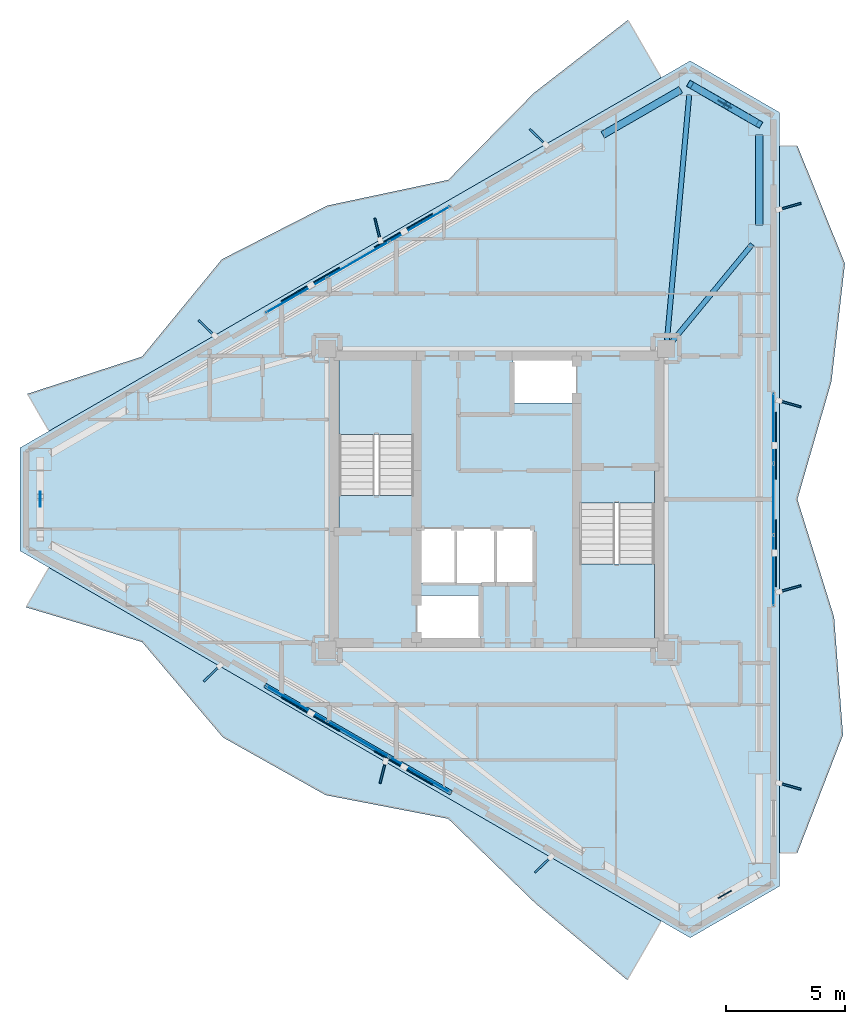
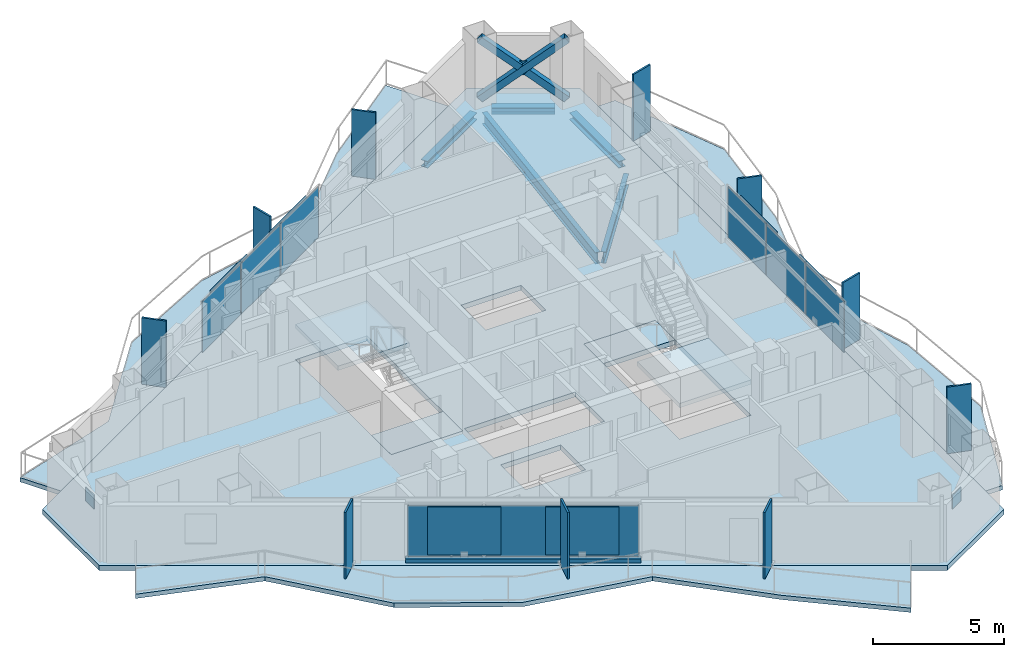
# One storey, part 15 of 22: 28 plates, 8 slabs, 5 beams, 3 members, 1 wall, 5 elements without a shape of their own.
"""IFC4 building model written with IfcOpenShell, lengths in metres."""

from ifc_helpers import new_model, si_unit, direction, frame, frame_2d, origin, origin_2d, place, context, subcontext, project, spatial, polyline, rectangle, hollow_rectangle, i_section, outline, extrude, material, layer, layer_set, material_profile, profile_set, type_object, element, aggregate, save


model = new_model("IFC4")

# Units and contexts
model_context = context("Model", 3, precision=1e-05, world=origin(), true_north=direction((0.0, 1.0)))
body_context = subcontext(model_context, "Body", "Model", "MODEL_VIEW")
ifc_project = project(units=[si_unit("LENGTHUNIT", "METRE"), si_unit("AREAUNIT", "SQUARE_METRE"), si_unit("VOLUMEUNIT", "CUBIC_METRE"), si_unit("PLANEANGLEUNIT", "RADIAN"), si_unit("MASSUNIT", "GRAM", prefix="KILO")], contexts=[model_context])

# Site, building, storey
site_placement = place(None, origin())
site = spatial("IfcSite", under=ifc_project, at=site_placement, CompositionType="ELEMENT")
building_placement = place(site_placement, origin())
building = spatial("IfcBuilding", under=site, at=building_placement, Name="Mersakhor Tower and Convention Hall", CompositionType="ELEMENT")
storey_placement = place(building_placement, frame((0.0, 0.0, 188.699951171875)))
storey = spatial("IfcBuildingStorey", under=building, at=storey_placement, Name="L52", CompositionType="ELEMENT", Elevation=188.699951171875)

# Beams
ifc_material_1 = material(Name="Steel S355", Category="steel")
ifc_material_profile_1 = material_profile(ifc_material_1, i_section(OverallWidth=0.2099609375, OverallDepth=0.53662109375, WebThickness=0.0107421875, FlangeThickness=0.017333984375, at=origin_2d()), Name="UB 533x210x101")
ifc_profile_set_1 = profile_set([ifc_material_profile_1], Name="Steel S355")
beam_type_1 = type_object("IfcBeamType", Name="BM-FB-533", PredefinedType="BEAM", material=ifc_profile_set_1)
beam_1_placement = place(storey_placement, frame((36.132080078125, 33.403564453125, -0.498291015625), z_axis=(0.09035626971, 0.995909506192, 0.0), x_axis=(-0.995909506192, 0.09035626971, 0.0)))
element("IfcBeam", 1, at=beam_1_placement, inside=storey, type_object=beam_type_1, Name="L52 Primary Floor Girder FG-2", PredefinedType="BEAM", context=body_context, shape_type="SweptSolid", body=[
    extrude(i_section(OverallWidth=0.2099609375, OverallDepth=0.53662109375, WebThickness=0.0107421875, FlangeThickness=0.017333984375, at=origin_2d()), origin(), (0.0, 0.0, 1.0), 10.302734375),
])
beam_2_placement = place(storey_placement, frame((36.32568359375, 33.32421875, -0.498291015625), z_axis=(0.635639529599, 0.77198600273, 0.0), x_axis=(-0.77198600273, 0.635639529599, 0.0)))
element("IfcBeam", 2, at=beam_2_placement, inside=storey, type_object=beam_type_1, Name="L52 Primary Floor Girder FG-3", PredefinedType="BEAM", context=body_context, shape_type="SweptSolid", body=[
    extrude(i_section(OverallWidth=0.2099609375, OverallDepth=0.53662109375, WebThickness=0.0107421875, FlangeThickness=0.017333984375, at=origin_2d()), origin(), (0.0, 0.0, 1.0), 5.307373046875),
])
ifc_material_2 = material(Name="Steel S355", Category="steel")
ifc_material_profile_2 = material_profile(ifc_material_2, i_section(OverallWidth=0.30908203125, OverallDepth=0.320556640625, WebThickness=0.013916015625, FlangeThickness=0.021728515625, at=origin_2d()), Name="UC 305x305x137")
ifc_profile_set_2 = profile_set([ifc_material_profile_2], Name="Steel S355")
beam_type_2 = type_object("IfcBeamType", Name="BM-SPD-UC305", PredefinedType="SPANDREL", material=ifc_profile_set_2)
beam_3_placement = place(storey_placement, frame((33.44580078125, 42.005126953125, -0.39013671875), z_axis=(0.866046450459, 0.499963544319, 0.0), x_axis=(-0.499963544319, 0.866046450459, 0.0)))
element("IfcBeam", 3, at=beam_3_placement, inside=storey, type_object=beam_type_2, Name="L52 Perimeter Spandrel Beam SPB-03", PredefinedType="SPANDREL", context=body_context, shape_type="SweptSolid", body=[
    extrude(i_section(OverallWidth=0.30908203125, OverallDepth=0.320556640625, WebThickness=0.013916015625, FlangeThickness=0.021728515625, at=origin_2d()), origin(), (0.0, 0.0, 1.0), 3.769287109375),
])
beam_4_placement = place(storey_placement, frame((37.498046875, 43.8896484375, -0.39013671875), z_axis=(0.86605626798, -0.499946537834, 0.0), x_axis=(0.499946537834, 0.86605626798, 0.0)))
element("IfcBeam", 4, at=beam_4_placement, inside=storey, type_object=beam_type_2, Name="L52 Perimeter Spandrel Beam SPB-04", PredefinedType="SPANDREL", context=body_context, shape_type="SweptSolid", body=[
    extrude(i_section(OverallWidth=0.30908203125, OverallDepth=0.320556640625, WebThickness=0.013916015625, FlangeThickness=0.021728515625, at=origin_2d()), origin(), (0.0, 0.0, 1.0), 2.420654296875),
])
beam_5_placement = place(storey_placement, frame((39.98828125, 41.9970703125, -0.39013671875), z_axis=(0.0, -1.0, 0.0), x_axis=(1.0, 0.0, 0.0)))
element("IfcBeam", 5, at=beam_5_placement, inside=storey, type_object=beam_type_2, Name="L52 Perimeter Spandrel Beam SPB-05", PredefinedType="SPANDREL", context=body_context, shape_type="SweptSolid", body=[
    extrude(i_section(OverallWidth=0.30908203125, OverallDepth=0.320556640625, WebThickness=0.013916015625, FlangeThickness=0.021728515625, at=origin_2d()), origin(), (0.0, 0.0, 1.0), 3.769287109375),
])

# Members
ifc_material_3 = material(Name="Steel S355", Category="steel")
ifc_material_profile_3 = material_profile(ifc_material_3, hollow_rectangle(XDim=0.300048828125, YDim=0.300048828125, WallThickness=0.01611328125, at=origin_2d()), Name="SHS 300x300x16")
ifc_profile_set_3 = profile_set([ifc_material_profile_3], Name="Steel S355")
member_type = type_object("IfcMemberType", Name="MB-BRC-SHS300", PredefinedType="BRACE", material=ifc_profile_set_3)
member_1_placement = place(storey_placement, frame((37.10400390625, 44.1171875, 0.150146484375), z_axis=(0.665824923443, -0.384424564314, 0.639448923429), x_axis=(0.50001011158, 0.866019565782, 0.0)))
element("IfcMember", 6, at=member_1_placement, inside=storey, type_object=member_type, Name="L52 Chamfer Braced Frame Diagonal CB-1A", PredefinedType="BRACE", context=body_context, shape_type="SweptSolid", body=[
    extrude(hollow_rectangle(XDim=0.300048828125, YDim=0.300048828125, WallThickness=0.01611328125, at=origin_2d()), origin(), (0.0, 0.0, 1.0), 4.331787109375),
])
member_2_placement = place(storey_placement, frame((39.98828125, 42.451904296875, 0.150146484375), z_axis=(-0.665763296387, 0.384506307606, 0.639463941592), x_axis=(-0.500124558158, -0.865953478154, 0.0)))
element("IfcMember", 7, at=member_2_placement, inside=storey, type_object=member_type, Name="L52 Chamfer Braced Frame Diagonal CB-1B Lower Half", PredefinedType="BRACE", context=body_context, shape_type="SweptSolid", body=[
    extrude(hollow_rectangle(XDim=0.300048828125, YDim=0.300048828125, WallThickness=0.01611328125, at=origin_2d()), origin(), (0.0, 0.0, 1.0), 2.005126953125),
])
member_3_placement = place(storey_placement, frame((38.439208984375, 43.34619140625, 1.6376953125), z_axis=(-0.665779245823, 0.384445210881, 0.639484069905), x_axis=(-0.50005597947, -0.86599308161, 0.0)))
element("IfcMember", 8, at=member_3_placement, inside=storey, type_object=member_type, Name="L52 Chamfer Braced Frame Diagonal CB-1B Upper Half", PredefinedType="BRACE", context=body_context, shape_type="SweptSolid", body=[
    extrude(hollow_rectangle(XDim=0.300048828125, YDim=0.300048828125, WallThickness=0.01611328125, at=origin_2d()), origin(), (0.0, 0.0, 1.0), 2.00537109375),
])

# Curtain wall, plates
ifc_material_4 = material(Name="Dark solar low-E aluminium curtain wall", Category="aluminium")
ifc_layer_1 = layer(ifc_material_4, 0.169921875)
ifc_layer_set_1 = layer_set([ifc_layer_1], Name="Dark solar low-E aluminium curtain wall")
curtain_wall_type = type_object("IfcCurtainWallType", Name="CW-SYS-02", PredefinedType="USERDEFINED", material=ifc_layer_set_1)
curtain_wall_1_placement = place(storey_placement, origin())
curtain_wall_1 = element("IfcCurtainWall", 9, at=curtain_wall_1_placement, inside=storey, type_object=curtain_wall_type, Name="L52 Dark-Glass Curtain Wall F1-B2", ObjectType="CURTAIN WALL", PredefinedType="USERDEFINED")
ifc_material_5 = material(Name="Dark solar double glazing", Category="glass")
ifc_layer_2 = layer(ifc_material_5, 0.028076171875)
ifc_layer_set_2 = layer_set([ifc_layer_2], Name="Dark solar double glazing")
plate_type_1 = type_object("IfcPlateType", Name="CWP-GLZ-28", PredefinedType="CURTAIN_PANEL", material=ifc_layer_set_2)
plate_1_placement = place(storey_placement, frame((20.624267578125, 35.29541015625, 0.260009765625), z_axis=(0.0, 0.0, 1.0), x_axis=(0.86602088627, 0.500007824483, 0.0)))
plate_1 = element("IfcPlate", 10, at=plate_1_placement, type_object=plate_type_1, Name="CW-02 panel 1.1", PredefinedType="CURTAIN_PANEL", context=body_context, shape_type="SweptSolid", body=[
    extrude(rectangle(XDim=2.88720703125, YDim=0.028076171875, at=origin_2d()), origin(), (0.0, 0.0, 1.0), 2.3701171875),
])
plate_2_placement = place(storey_placement, frame((23.205810546875, 36.785888671875, 0.260009765625), z_axis=(0.0, 0.0, 1.0), x_axis=(0.86602088627, 0.500007824483, 0.0)))
plate_2 = element("IfcPlate", 11, at=plate_2_placement, type_object=plate_type_1, Name="CW-02 panel 2.1", PredefinedType="CURTAIN_PANEL", context=body_context, shape_type="SweptSolid", body=[
    extrude(rectangle(XDim=2.924560546875, YDim=0.028076171875, at=origin_2d()), origin(), (0.0, 0.0, 1.0), 2.3701171875),
])
plate_3_placement = place(storey_placement, frame((25.787353515625, 38.2763671875, 0.260009765625), z_axis=(0.0, 0.0, 1.0), x_axis=(0.86602088627, 0.500007824483, 0.0)))
plate_3 = element("IfcPlate", 12, at=plate_3_placement, type_object=plate_type_1, Name="CW-02 panel 3.1", PredefinedType="CURTAIN_PANEL", context=body_context, shape_type="SweptSolid", body=[
    extrude(rectangle(XDim=2.88720703125, YDim=0.028076171875, at=origin_2d()), origin(), (0.0, 0.0, 1.0), 2.3701171875),
])
aggregate(curtain_wall_1, [plate_1, plate_2, plate_3])

curtain_wall_2_placement = place(storey_placement, origin())
curtain_wall_2 = element("IfcCurtainWall", 13, at=curtain_wall_2_placement, inside=storey, type_object=curtain_wall_type, Name="L52 Dark-Glass Curtain Wall F2-B2", ObjectType="CURTAIN WALL", PredefinedType="USERDEFINED")
plate_4_placement = place(storey_placement, frame((40.58837890625, 29.73095703125, 0.260009765625), z_axis=(0.0, 0.0, 1.0), x_axis=(0.0, -1.0, 0.0)))
plate_4 = element("IfcPlate", 14, at=plate_4_placement, type_object=plate_type_1, Name="CW-02 panel 1.1", PredefinedType="CURTAIN_PANEL", context=body_context, shape_type="SweptSolid", body=[
    extrude(rectangle(XDim=2.88720703125, YDim=0.028076171875, at=origin_2d()), origin(), (0.0, 0.0, 1.0), 2.3701171875),
])
plate_5_placement = place(storey_placement, frame((40.58837890625, 26.75, 0.260009765625), z_axis=(0.0, 0.0, 1.0), x_axis=(0.0, -1.0, 0.0)))
plate_5 = element("IfcPlate", 15, at=plate_5_placement, type_object=plate_type_1, Name="CW-02 panel 2.1", PredefinedType="CURTAIN_PANEL", context=body_context, shape_type="SweptSolid", body=[
    extrude(rectangle(XDim=2.924560546875, YDim=0.028076171875, at=origin_2d()), origin(), (0.0, 0.0, 1.0), 2.3701171875),
])
plate_6_placement = place(storey_placement, frame((40.58837890625, 23.76904296875, 0.260009765625), z_axis=(0.0, 0.0, 1.0), x_axis=(0.0, -1.0, 0.0)))
plate_6 = element("IfcPlate", 16, at=plate_6_placement, type_object=plate_type_1, Name="CW-02 panel 3.1", PredefinedType="CURTAIN_PANEL", context=body_context, shape_type="SweptSolid", body=[
    extrude(rectangle(XDim=2.88720703125, YDim=0.028076171875, at=origin_2d()), origin(), (0.0, 0.0, 1.0), 2.3701171875),
])
aggregate(curtain_wall_2, [plate_4, plate_5, plate_6])

curtain_wall_3_placement = place(storey_placement, origin())
curtain_wall_3 = element("IfcCurtainWall", 17, at=curtain_wall_3_placement, inside=storey, type_object=curtain_wall_type, Name="L52 Dark-Glass Curtain Wall F3-B2", ObjectType="CURTAIN WALL", PredefinedType="USERDEFINED")
plate_7_placement = place(storey_placement, frame((25.787353515625, 15.2236328125, 0.260009765625), z_axis=(0.0, 0.0, 1.0), x_axis=(-0.86602088627, 0.500007824483, 0.0)))
plate_7 = element("IfcPlate", 18, at=plate_7_placement, type_object=plate_type_1, Name="CW-02 panel 1.1", PredefinedType="CURTAIN_PANEL", context=body_context, shape_type="SweptSolid", body=[
    extrude(rectangle(XDim=2.88720703125, YDim=0.028076171875, at=origin_2d()), origin(), (0.0, 0.0, 1.0), 2.3701171875),
])
plate_8_placement = place(storey_placement, frame((23.205810546875, 16.714111328125, 0.260009765625), z_axis=(0.0, 0.0, 1.0), x_axis=(-0.86602088627, 0.500007824483, 0.0)))
plate_8 = element("IfcPlate", 19, at=plate_8_placement, type_object=plate_type_1, Name="CW-02 panel 2.1", PredefinedType="CURTAIN_PANEL", context=body_context, shape_type="SweptSolid", body=[
    extrude(rectangle(XDim=2.924560546875, YDim=0.028076171875, at=origin_2d()), origin(), (0.0, 0.0, 1.0), 2.3701171875),
])
plate_9_placement = place(storey_placement, frame((20.624267578125, 18.20458984375, 0.260009765625), z_axis=(0.0, 0.0, 1.0), x_axis=(-0.86602088627, 0.500007824483, 0.0)))
plate_9 = element("IfcPlate", 20, at=plate_9_placement, type_object=plate_type_1, Name="CW-02 panel 3.1", PredefinedType="CURTAIN_PANEL", context=body_context, shape_type="SweptSolid", body=[
    extrude(rectangle(XDim=2.88720703125, YDim=0.028076171875, at=origin_2d()), origin(), (0.0, 0.0, 1.0), 2.3701171875),
])
aggregate(curtain_wall_3, [plate_7, plate_8, plate_9])

# Plates
ifc_material_6 = material(Name="Ceramic-clad aluminium Zone 4 terracotta-coral", Category="masonry")
ifc_material_7 = material(Name="Ceramic-clad aluminium Zone 1 cobalt-slate", Category="masonry")
ifc_layer_3 = layer(ifc_material_7, 0.080078125)
ifc_layer_set_3 = layer_set([ifc_layer_3], Name="Ceramic-clad aluminium Zone 1 cobalt-slate")
plate_type_2 = type_object("IfcPlateType", Name="PL-FIN-80", PredefinedType="USERDEFINED", material=ifc_layer_set_3)
for number, where, z_axis, x_axis, name in (
    (21, (16.866455078125, 33.918701171875, 0.0), (0.0, 0.0, 1.0), (-0.719339800339, 0.694658370459, 0.0), "L52 Zone 4 Coloured Brise-Soleil Fin F1-1"),
    (22, (24.021484375, 38.049560546875, 0.0), (0.0, 0.0, 1.0), (-0.2419218956, 0.970295726276, 0.0), "L52 Zone 4 Coloured Brise-Soleil Fin F1-2"),
    (23, (30.722900390625, 41.918701171875, 0.0), (0.0, 0.0, 1.0), (-0.719339800339, 0.694658370459, 0.0), "L52 Zone 4 Coloured Brise-Soleil Fin F1-3"),
    (24, (41.27490234375, 39.007080078125, 0.0), (0.0, 0.0, 1.0), (0.961261695938, 0.275637355817, 0.0), "L52 Zone 4 Coloured Brise-Soleil Fin F2-1"),
    (25, (41.27490234375, 30.7451171875, 0.0), (0.0, 0.0, 1.0), (0.961261695938, -0.275637355817, 0.0), "L52 Zone 4 Coloured Brise-Soleil Fin F2-2"),
    (26, (41.27490234375, 23.007080078125, 0.0), (0.0, 0.0, 1.0), (0.961261695938, 0.275637355817, 0.0), "L52 Zone 4 Coloured Brise-Soleil Fin F2-3"),
    (27, (41.27490234375, 14.7451171875, 0.0), (0.0, 0.0, 1.0), (0.961261695938, -0.275637355817, 0.0), "L52 Zone 4 Coloured Brise-Soleil Fin F2-4"),
    (28, (30.941162109375, 11.455322265625, 0.0), (0.0, 0.0, 1.0), (-0.719339800339, -0.694658370459, 0.0), "L52 Zone 4 Coloured Brise-Soleil Fin F3-1"),
    (29, (24.23974609375, 15.324462890625, 0.0), (0.0, 0.0, 1.0), (-0.2419218956, -0.970295726276, 0.0), "L52 Zone 4 Coloured Brise-Soleil Fin F3-2"),
    (30, (17.084716796875, 19.455322265625, 0.0), (0.0, 0.0, 1.0), (-0.719339800339, -0.694658370459, 0.0), "L52 Zone 4 Coloured Brise-Soleil Fin F3-3"),
):
    element("IfcPlate", number, at=place(storey_placement, frame(where, z_axis=z_axis, x_axis=x_axis)), inside=storey, type_object=plate_type_2, material=ifc_material_6, Name=name, ObjectType="FIN", PredefinedType="USERDEFINED", context=body_context, shape_type="SweptSolid", body=[
        extrude(rectangle(XDim=0.949951171875, YDim=0.080078125, at=origin_2d()), origin(), (0.0, 0.0, 1.0), 3.10009765625),
    ])
ifc_material_8 = material(Name="Steel S460", Category="steel")
ifc_layer_4 = layer(ifc_material_8, 0.0400390625)
ifc_layer_set_4 = layer_set([ifc_layer_4], Name="Steel S460")
plate_type_3 = type_object("IfcPlateType", Name="PL-GUSSET-40", PredefinedType="SHEET", material=ifc_layer_set_4)
for number, where, z_axis, x_axis, name in (
    (31, (38.54638671875, 43.28466796875, 1.21533203125), (0.0, 0.0, 1.0), (-0.866025403784, 0.5, 0.0), "L52 X-Brace Crossing Gusset Node Plate"),
    (32, (38.54638671875, 10.21533203125, 1.21533203125), (0.0, 0.0, 1.0), (0.866025403784, 0.5, 0.0), "L52 X-Brace Crossing Gusset Node Plate"),
    (33, (9.907470703125, 26.75, 1.21533203125), (0.0, 0.0, 1.0), (0.0, -1.0, 0.0), "L52 X-Brace Crossing Gusset Node Plate"),
):
    element("IfcPlate", number, at=place(storey_placement, frame(where, z_axis=z_axis, x_axis=x_axis)), inside=storey, type_object=plate_type_3, Name=name, PredefinedType="SHEET", context=body_context, shape_type="SweptSolid", body=[
        extrude(rectangle(XDim=0.639892578125, YDim=0.0400390625, at=origin_2d()), origin(), (0.0, 0.0, 1.0), 0.639892578125),
    ])
ifc_material_9 = material(Name="Perforated ceramic cobogo solar screen", Category="aluminium")
ifc_layer_5 = layer(ifc_material_9, 0.048095703125)
ifc_layer_set_5 = layer_set([ifc_layer_5], Name="Perforated ceramic cobogo solar screen")
plate_type_4 = type_object("IfcPlateType", Name="PL-SCR-48", PredefinedType="USERDEFINED", material=ifc_layer_set_5)
for number, where, z_axis, x_axis, name in (
    (34, (21.21044921875, 35.742431640625, 0.39990234375), (0.0, 0.0, 1.0), (0.866025403784, 0.5, 0.0), "L52 Perforated Ceramic Solar Screen F1-1"),
    (35, (25.107177734375, 37.9921875, 0.39990234375), (0.0, 0.0, 1.0), (0.866025403784, 0.5, 0.0), "L52 Perforated Ceramic Solar Screen F1-2"),
    (36, (40.682373046875, 28.999755859375, 0.39990234375), (0.0, 0.0, 1.0), (0.0, -1.0, 0.0), "L52 Perforated Ceramic Solar Screen F2-1"),
    (37, (40.682373046875, 24.500244140625, 0.39990234375), (0.0, 0.0, 1.0), (0.0, -1.0, 0.0), "L52 Perforated Ceramic Solar Screen F2-2"),
    (38, (25.107177734375, 15.5078125, 0.39990234375), (0.0, 0.0, 1.0), (-0.866025403784, 0.5, 0.0), "L52 Perforated Ceramic Solar Screen F3-1"),
    (39, (21.21044921875, 17.757568359375, 0.39990234375), (0.0, 0.0, 1.0), (-0.866025403784, 0.5, 0.0), "L52 Perforated Ceramic Solar Screen F3-2"),
):
    element("IfcPlate", number, at=place(storey_placement, frame(where, z_axis=z_axis, x_axis=x_axis)), inside=storey, type_object=plate_type_4, Name=name, ObjectType="SCREEN", PredefinedType="USERDEFINED", context=body_context, shape_type="SweptSolid", body=[
        extrude(rectangle(XDim=2.800048828125, YDim=0.048095703125, at=origin_2d()), origin(), (0.0, 0.0, 1.0), 2.239990234375),
    ])

# Slabs
ifc_material_10 = material(Name="Concrete C45/55", Category="concrete")
ifc_layer_6 = layer(ifc_material_10, 0.199951171875)
ifc_layer_set_6 = layer_set([ifc_layer_6], Name="Concrete C45/55")
slab_type_1 = type_object("IfcSlabType", Name="SL-BAL-200", PredefinedType="FLOOR", material=ifc_layer_set_6)
slab_1_placement = place(storey_placement, frame((0.0, 0.0, -0.199951171875)))
element("IfcSlab", 40, at=slab_1_placement, inside=storey, type_object=slab_type_1, Name="L52 Sinusoidal Balcony Slab Face 1", PredefinedType="FLOOR", context=body_context, shape_type="SweptSolid", body=[
    extrude(outline(polyline([(10.27001953125, 29.60595703125), (35.8916015625, 44.398681640625), (34.500244140625, 46.808837890625), (30.567626953125, 43.758544921875), (26.97607421875, 40.1171875), (21.904541015625, 39.03955078125), (17.506591796875, 36.79541015625), (14.165283203125, 32.720947265625), (9.369873046875, 31.164794921875), (10.27001953125, 29.60595703125)])), origin(), (0.0, 0.0, 1.0), 0.199951171875),
])
slab_2_placement = place(storey_placement, frame((0.0, 0.0, -0.199951171875)))
element("IfcSlab", 41, at=slab_2_placement, inside=storey, type_object=slab_type_1, Name="L52 Sinusoidal Balcony Slab Face 2", PredefinedType="FLOOR", context=body_context, shape_type="SweptSolid", body=[
    extrude(outline(polyline([(40.83837890625, 41.542724609375), (40.83837890625, 11.957275390625), (41.58837890625, 11.957275390625), (43.498046875, 16.88818359375), (43.126220703125, 21.819091796875), (41.58837890625, 26.75), (43.014404296875, 31.680908203125), (43.577880859375, 36.61181640625), (41.590576171875, 41.542724609375), (40.83837890625, 41.542724609375)])), origin(), (0.0, 0.0, 1.0), 0.199951171875),
])
slab_3_placement = place(storey_placement, frame((0.0, 0.0, -0.199951171875)))
element("IfcSlab", 42, at=slab_3_placement, inside=storey, type_object=slab_type_1, Name="L52 Sinusoidal Balcony Slab Face 3", PredefinedType="FLOOR", context=body_context, shape_type="SweptSolid", body=[
    extrude(outline(polyline([(35.8916015625, 9.101318359375), (10.27001953125, 23.89404296875), (9.31005859375, 22.231689453125), (14.165283203125, 20.779052734375), (17.552978515625, 16.784912109375), (21.852783203125, 14.37060546875), (26.97607421875, 13.3828125), (30.626220703125, 9.843017578125), (34.4677734375, 6.635009765625), (35.8916015625, 9.101318359375)])), origin(), (0.0, 0.0, 1.0), 0.199951171875),
])
ifc_material_11 = material(Name="Concrete C40/50", Category="concrete")
ifc_layer_7 = layer(ifc_material_11, 0.22998046875)
ifc_layer_set_7 = layer_set([ifc_layer_7], Name="Concrete C40/50")
slab_type_2 = type_object("IfcSlabType", Name="SL-FLR-230", PredefinedType="FLOOR", material=ifc_layer_set_7)
slab_4_placement = place(storey_placement, frame((0.0, 0.0, -0.22998046875)))
element("IfcSlab", 43, at=slab_4_placement, inside=storey, type_object=slab_type_2, Name="L52 ST-1 Structural Stair Floor Landing", PredefinedType="LANDING", context=body_context, shape_type="SweptSolid", body=[
    extrude(outline(polyline([(25.550048828125, 25.39990234375), (25.550048828125, 26.89990234375), (22.39990234375, 26.89990234375), (22.39990234375, 25.39990234375), (25.550048828125, 25.39990234375)])), origin(), (0.0, 0.0, 1.0), 0.22998046875),
])
slab_5_placement = place(storey_placement, frame((0.0, 0.0, -0.22998046875)))
element("IfcSlab", 44, at=slab_5_placement, inside=storey, type_object=slab_type_2, Name="L52 ST-2 Structural Stair Floor Landing", PredefinedType="LANDING", context=body_context, shape_type="SweptSolid", body=[
    extrude(outline(polyline([(32.449951171875, 28.10009765625), (32.449951171875, 26.60009765625), (35.60009765625, 26.60009765625), (35.60009765625, 28.10009765625), (32.449951171875, 28.10009765625)])), origin(), (0.0, 0.0, 1.0), 0.22998046875),
])
slab_6_placement = place(storey_placement, frame((0.0, 0.0, -0.22998046875)))
element("IfcSlab", 45, at=slab_6_placement, inside=storey, type_object=slab_type_2, Name="Tower L52 Structural Floor Slab", PredefinedType="FLOOR", context=body_context, shape_type="SweptSolid", body=[
    extrude(outline(polyline([(9.0576171875, 28.906005859375), (37.10400390625, 45.0986328125), (40.83837890625, 42.942626953125), (40.83837890625, 10.557373046875), (37.10400390625, 8.4013671875), (9.0576171875, 24.593994140625), (9.0576171875, 28.906005859375)]), holes=[polyline([(25.550048828125, 25.39990234375), (25.550048828125, 32.699951171875), (22.39990234375, 32.699951171875), (22.39990234375, 25.39990234375), (25.550048828125, 25.39990234375)]), polyline([(32.449951171875, 28.10009765625), (32.449951171875, 20.800048828125), (35.60009765625, 20.800048828125), (35.60009765625, 28.10009765625), (32.449951171875, 28.10009765625)]), polyline([(25.679931640625, 20.820068359375), (25.679931640625, 22.719970703125), (28.320068359375, 22.719970703125), (28.320068359375, 20.820068359375), (25.679931640625, 20.820068359375)]), polyline([(29.679931640625, 30.780029296875), (29.679931640625, 32.679931640625), (32.320068359375, 32.679931640625), (32.320068359375, 30.780029296875), (29.679931640625, 30.780029296875)]), polyline([(25.679931640625, 23.25), (25.679931640625, 25.5), (30.570068359375, 25.5), (30.570068359375, 23.25), (25.679931640625, 23.25)])]), origin(), (0.0, 0.0, 1.0), 0.22998046875),
])

# Stair, slab
ifc_material_12 = material(Name="Concrete C45/55", Category="concrete")
stair_type = type_object("IfcStairType", Name="ST-TWR-20R", PredefinedType="HALF_TURN_STAIR", material=ifc_material_12)
stair_1_placement = place(storey_placement, origin())
stair_1 = element("IfcStair", 46, at=stair_1_placement, inside=storey, type_object=stair_type, Name="L52 Tower Protected Exit Stair ST-1", PredefinedType="HALF_TURN_STAIR")
ifc_material_13 = material(Name="Concrete C45/55", Category="concrete")
ifc_layer_8 = layer(ifc_material_13, 0.199951171875)
ifc_layer_set_8 = layer_set([ifc_layer_8], Name="Concrete C45/55")
slab_type_3 = type_object("IfcSlabType", Name="SL-LAND-200", PredefinedType="LANDING", material=ifc_layer_set_8)
slab_7_placement = place(storey_placement, frame((0.0, 0.0, 1.449951171875)))
slab_7 = element("IfcSlab", 47, at=slab_7_placement, type_object=slab_type_3, Name="ST-1 landing 1", PredefinedType="LANDING", context=body_context, shape_type="SweptSolid", body=[
    extrude(outline(polyline([(25.550048828125, 29.465087890625), (25.550048828125, 32.699951171875), (22.39990234375, 32.699951171875), (22.39990234375, 29.465087890625), (25.550048828125, 29.465087890625)])), origin(), (0.0, 0.0, 1.0), 0.2001953125),
])
aggregate(stair_1, [slab_7])

stair_2_placement = place(storey_placement, origin())
stair_2 = element("IfcStair", 48, at=stair_2_placement, inside=storey, type_object=stair_type, Name="L52 Tower Protected Exit Stair ST-2", PredefinedType="HALF_TURN_STAIR")
slab_8_placement = place(storey_placement, frame((0.0, 0.0, 1.449951171875)))
slab_8 = element("IfcSlab", 49, at=slab_8_placement, type_object=slab_type_3, Name="ST-2 landing 1", PredefinedType="LANDING", context=body_context, shape_type="SweptSolid", body=[
    extrude(outline(polyline([(32.449951171875, 24.034912109375), (32.449951171875, 20.800048828125), (35.60009765625, 20.800048828125), (35.60009765625, 24.034912109375), (32.449951171875, 24.034912109375)])), origin(), (0.0, 0.0, 1.0), 0.2001953125),
])
aggregate(stair_2, [slab_8])

# Wall
ifc_material_14 = material(Name="Precast concrete C40/50", Category="concrete")
ifc_layer_9 = layer(ifc_material_14, 0.199951171875)
ifc_layer_set_9 = layer_set([ifc_layer_9], Name="Precast concrete C40/50")
wall_type = type_object("IfcWallType", Name="WL-PAR-200", PredefinedType="PARAPET", material=ifc_layer_set_9)
wall_placement = place(storey_placement, frame((27.102294921875, 14.46435546875, 0.0), z_axis=(0.0, 0.0, 1.0), x_axis=(-0.866020680503, 0.500008180874, 0.0)))
element("IfcWall", 50, at=wall_placement, inside=storey, type_object=wall_type, Name="L52 Curtain Wall Upstand Sill F3-B2", PredefinedType="PARAPET", context=body_context, shape_type="SweptSolid", body=[
    extrude(rectangle(XDim=8.998779296875, YDim=0.199951171875, at=frame_2d((4.49951171875, 0.0))), origin(), (0.0, 0.0, 1.0), 0.199951171875),
])

save(model, "model.ifc")
